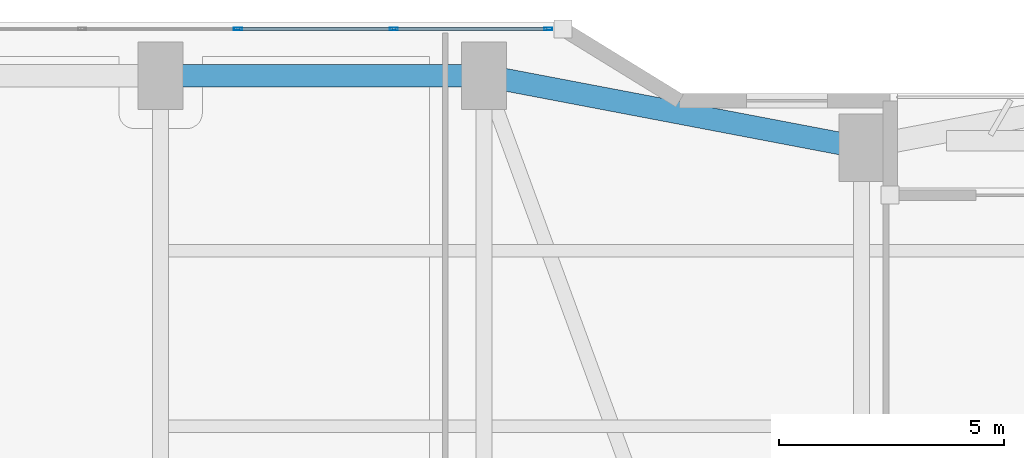
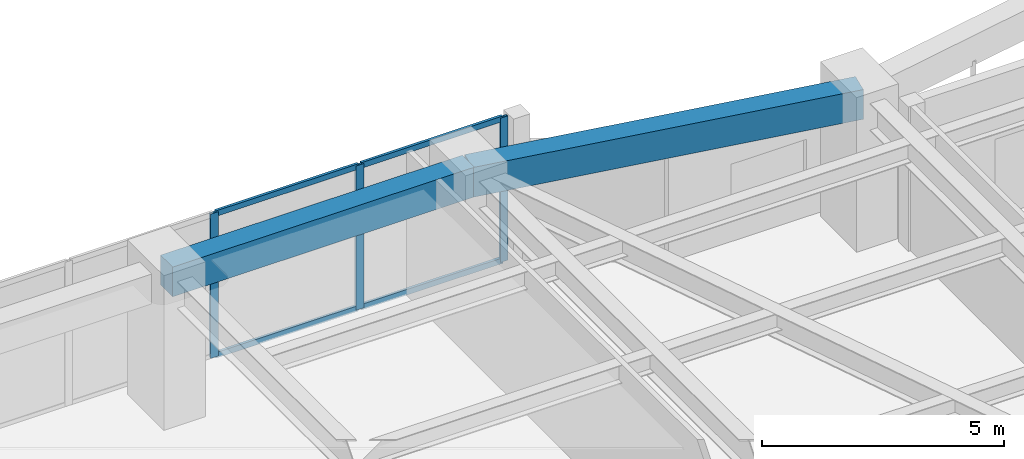
# One storey, part 17 of 28: 7 members, 2 beams, 1 element without a shape of its own.
"""IFC4 building model written with IfcOpenShell, lengths in metres."""

import ifcopenshell
import ifcopenshell.guid

model = None  # the IFC model being written
_history = None  # IfcOwnerHistory: only IFC2X3 demands one
_inside = {}  # id of a spatial element -> (the spatial element, [elements in it])
_under = {}  # id of a project, library or spatial element -> (it, [spatial elements below it])
_declared = {}  # id of a project -> (the project, [libraries it declares])
_typed = {}  # id of a type object -> (the type object, [elements of that type])
_made_of = {}  # id of a material, layer set ... -> (it, [elements and type objects made of it])


def new_model(schema):
    """Start an empty IFC model of exactly this schema.

    Asked for "IFC4X3", IfcOpenShell would pick the latest addendum, in which some entities
    have other attributes; the version numbers below select the first issue.
    IFC2X3 requires an IfcOwnerHistory on every rooted entity: one is made here for all.
    """
    global model, _history
    if schema == "IFC4X3":
        model = ifcopenshell.file(schema_version=(4, 3, 0, 0))
    else:
        model = ifcopenshell.file(schema=schema)
    _inside.clear()
    _under.clear()
    _declared.clear()
    _typed.clear()
    _made_of.clear()
    _history = None
    if model.schema == "IFC2X3":
        org = make("IfcOrganization", Name="unknown")
        user = make(
            "IfcPersonAndOrganization",
            ThePerson=make("IfcPerson", FamilyName="unknown"),
            TheOrganization=org,
        )
        app = make(
            "IfcApplication",
            ApplicationDeveloper=org,
            Version="unknown",
            ApplicationFullName="unknown",
            ApplicationIdentifier="unknown",
        )
        _history = make(
            "IfcOwnerHistory",
            OwningUser=user,
            OwningApplication=app,
            ChangeAction="ADDED",
            CreationDate=0,
        )
    return model


def make(cls, **values):
    """One entity of the class cls with the attributes given. An attribute that is None is left unset."""
    return model.create_entity(
        cls, **{name: value for name, value in values.items() if value is not None}
    )


def rooted(cls, **values):
    """An entity with a GlobalId (a new one), such as an element, a storey or a relation."""
    return make(cls, GlobalId=ifcopenshell.guid.new(), OwnerHistory=_history, **values)


def si_unit(unit_type, name, prefix=None):
    """IfcSIUnit, for example si_unit("LENGTHUNIT", "METRE", prefix="MILLI")."""
    return make("IfcSIUnit", UnitType=unit_type, Prefix=prefix, Name=name)


def assignment(units):
    """IfcUnitAssignment: the units of a project."""
    return None if units is None else make("IfcUnitAssignment", Units=units)


def point(xyz):
    """IfcCartesianPoint."""
    return None if xyz is None else make("IfcCartesianPoint", Coordinates=xyz)


def direction(xyz):
    """IfcDirection."""
    return None if xyz is None else make("IfcDirection", DirectionRatios=xyz)


def frame(location, z_axis=None, x_axis=None):
    """IfcAxis2Placement3D, a coordinate frame: its origin and axes. An axis left out is left unset."""
    return make(
        "IfcAxis2Placement3D",
        Location=point(location),
        Axis=direction(z_axis),
        RefDirection=direction(x_axis),
    )


def frame_2d(location, x_axis=None):
    """IfcAxis2Placement2D, a coordinate frame in the plane: its origin and x axis."""
    return make(
        "IfcAxis2Placement2D", Location=point(location), RefDirection=direction(x_axis)
    )


def origin():
    """The frame at (0, 0, 0) with its axes left unset."""
    return frame((0.0, 0.0, 0.0))


def origin_2d():
    """The frame at (0, 0) in the plane with its x axis left unset."""
    return frame_2d((0.0, 0.0))


def place(relative_to, where):
    """IfcLocalPlacement: puts the frame where relative to a parent placement (None: the world)."""
    return make(
        "IfcLocalPlacement", PlacementRelTo=relative_to, RelativePlacement=where
    )


def context(
    kind, dimensions, precision=None, world=None, true_north=None, identifier=None
):
    """IfcGeometricRepresentationContext, for example the 3D "Model" context."""
    return make(
        "IfcGeometricRepresentationContext",
        ContextIdentifier=identifier,
        ContextType=kind,
        CoordinateSpaceDimension=dimensions,
        Precision=precision,
        WorldCoordinateSystem=world,
        TrueNorth=true_north,
    )


def subcontext(parent, identifier, kind, view, scale=None):
    """IfcGeometricRepresentationSubContext, for example "Body" below "Model"."""
    return make(
        "IfcGeometricRepresentationSubContext",
        ContextIdentifier=identifier,
        ContextType=kind,
        ParentContext=parent,
        TargetScale=scale,
        TargetView=view,
    )


def project(units=None, contexts=None):
    """IfcProject with its units and contexts."""
    return rooted(
        "IfcProject",
        Name="project",
        RepresentationContexts=contexts,
        UnitsInContext=assignment(units),
    )


def spatial(cls, under=None, at=None, **own):
    """A site, building, storey or space (cls), placed at a placement, below another one or the project."""
    s = rooted(cls, ObjectPlacement=at, **own)
    if under is not None:
        _under.setdefault(under.id(), (under, []))[1].append(s)
    return s


def profile(cls, at=None, kind="AREA", **sizes):
    """A parametric profile (cls). Its sizes go by their IFC names, for example OverallWidth=200.0."""
    return make(cls, ProfileType=kind, Position=at, **sizes)


def rectangle(**sizes):
    """IfcRectangleProfileDef."""
    return profile("IfcRectangleProfileDef", **sizes)


def hollow_rectangle(**sizes):
    """IfcRectangleHollowProfileDef."""
    return profile("IfcRectangleHollowProfileDef", **sizes)


def extrude(swept, where, along, depth):
    """IfcExtrudedAreaSolid: the profile swept, set in the frame where, extruded along a direction by depth."""
    return make(
        "IfcExtrudedAreaSolid",
        SweptArea=swept,
        Position=where,
        ExtrudedDirection=direction(along),
        Depth=depth,
    )


def shape(context_of_items, identifier, shape_type, items):
    """IfcShapeRepresentation: the items that make up one representation, for example the "Body"."""
    return make(
        "IfcShapeRepresentation",
        ContextOfItems=context_of_items,
        RepresentationIdentifier=identifier,
        RepresentationType=shape_type,
        Items=items,
    )


def material(Name=None, Category=None):
    """IfcMaterial."""
    return make("IfcMaterial", Name=Name, Category=Category)


def layer(
    of_material, thickness, ventilated=None, Name=None, Category=None, Priority=None
):
    """IfcMaterialLayer: one layer of a wall or slab, of a material (None: an air gap)."""
    return make(
        "IfcMaterialLayer",
        Material=of_material,
        LayerThickness=thickness,
        IsVentilated=ventilated,
        Name=Name,
        Category=Category,
        Priority=Priority,
    )


def layer_set(layers, Name=None):
    """IfcMaterialLayerSet."""
    return make("IfcMaterialLayerSet", MaterialLayers=layers, LayerSetName=Name)


def material_profile(
    of_material, cross_section, Name=None, Category=None, Priority=None
):
    """IfcMaterialProfile: a cross section and its material."""
    return make(
        "IfcMaterialProfile",
        Name=Name,
        Material=of_material,
        Profile=cross_section,
        Priority=Priority,
        Category=Category,
    )


def profile_set(profiles, Name=None, composite=None):
    """IfcMaterialProfileSet."""
    return make(
        "IfcMaterialProfileSet",
        Name=Name,
        MaterialProfiles=profiles,
        CompositeProfile=composite,
    )


def made_of(thing, what):
    """Note that an element or type object is made of a material, layer set ...; save() writes the relation."""
    if what is not None:
        _made_of.setdefault(what.id(), (what, []))[1].append(thing)
    return thing


def type_object(cls, material=None, **own):
    """A type object (cls), such as IfcWallType, which elements share."""
    return made_of(rooted(cls, **own), material)


def element(
    cls,
    number,
    at=None,
    inside=None,
    cuts=None,
    type_object=None,
    material=None,
    context=None,
    identifier="Body",
    shape_type=None,
    held_by="IfcProductDefinitionShape",
    body=None,
    shapes=None,
    **own,
):
    """One element of the class cls, such as IfcWall. Its Tag is "e" and its number.

    at: its placement. inside: the storey or other place that contains it. cuts: it is an
    opening in that element (IfcRelVoidsElement). A single representation is given by context,
    identifier, shape_type and body (its items); several are given by shapes. held_by: the class
    of the entity that holds the representations. save() writes the other relations.
    """
    e = rooted(cls, Tag="e%d" % number, ObjectPlacement=at, **own)
    if body is not None:
        shapes = [shape(context, identifier, shape_type, body)]
    if shapes is not None:
        e.Representation = make(held_by, Representations=shapes)
    if inside is not None:
        _inside.setdefault(inside.id(), (inside, []))[1].append(e)
    if cuts is not None:
        rooted(
            "IfcRelVoidsElement", RelatingBuildingElement=cuts, RelatedOpeningElement=e
        )
    if type_object is not None:
        _typed.setdefault(type_object.id(), (type_object, []))[1].append(e)
    return made_of(e, material)


def aggregate(whole, parts):
    """IfcRelAggregates: a whole, such as a stair, and the parts it consists of."""
    return rooted("IfcRelAggregates", RelatingObject=whole, RelatedObjects=parts)


def save(model, path):
    """Write the relations noted so far, then the file.

    IfcRelAggregates (storeys below a building ...), IfcRelContainedInSpatialStructure (elements
    in a storey), IfcRelDefinesByType, IfcRelAssociatesMaterial and IfcRelDeclares: one each for
    every whole, place, type object, material and project.
    """
    for whole, parts in _under.values():
        aggregate(whole, parts)
    for where, things in _inside.values():
        rooted(
            "IfcRelContainedInSpatialStructure",
            RelatedElements=things,
            RelatingStructure=where,
        )
    for kind, things in _typed.values():
        rooted("IfcRelDefinesByType", RelatedObjects=things, RelatingType=kind)
    for what, things in _made_of.values():
        rooted("IfcRelAssociatesMaterial", RelatedObjects=things, RelatingMaterial=what)
    for by, libraries in _declared.values():
        rooted("IfcRelDeclares", RelatingContext=by, RelatedDefinitions=libraries)
    model.write(path)


model = new_model("IFC4")

# Units and contexts
model_context = context("Model", 3, precision=1e-05, world=origin(), true_north=direction((0.0, 1.0)))
body_context = subcontext(model_context, "Body", "Model", "MODEL_VIEW")
ifc_project = project(units=[si_unit("LENGTHUNIT", "METRE"), si_unit("AREAUNIT", "SQUARE_METRE"), si_unit("VOLUMEUNIT", "CUBIC_METRE"), si_unit("PLANEANGLEUNIT", "RADIAN"), si_unit("MASSUNIT", "GRAM", prefix="KILO")], contexts=[model_context])

# Site, building, storey
site_placement = place(None, origin())
site = spatial("IfcSite", under=ifc_project, at=site_placement, CompositionType="ELEMENT")
building_placement = place(site_placement, origin())
building = spatial("IfcBuilding", under=site, at=building_placement, Name="Kiyonajd Concourse Tower", CompositionType="ELEMENT")
storey_placement = place(building_placement, frame((0.0, 0.0, 64.5)))
storey = spatial("IfcBuildingStorey", under=building, at=storey_placement, Name="L17", CompositionType="ELEMENT", Elevation=64.5)

# Beams
ifc_material_1 = material(Name="Precast concrete C50/60", Category="concrete")
ifc_material_profile_1 = material_profile(ifc_material_1, rectangle(XDim=0.5, YDim=0.75, at=origin_2d()), Name="RCBM-500x750")
ifc_profile_set_1 = profile_set([ifc_material_profile_1], Name="Precast concrete C50/60")
beam_type = type_object("IfcBeamType", Name="BM-SPAN-RC", PredefinedType="SPANDREL", material=ifc_profile_set_1)
beam_1_placement = place(storey_placement, frame((48.0, 59.60009765625, 3.264892578125), z_axis=(-0.982341315253, 0.187097675953, 0.0), x_axis=(-0.187097675953, -0.982341315253, 0.0)))
element("IfcBeam", 1, at=beam_1_placement, inside=storey, type_object=beam_type, Name="L17 Perimeter Bundled Tube Spandrel", PredefinedType="SPANDREL", context=body_context, shape_type="SweptSolid", body=[
    extrude(rectangle(XDim=0.5, YDim=0.75, at=origin_2d()), origin(), (0.0, 0.0, 1.0), 8.55078125),
])
beam_2_placement = place(storey_placement, frame((39.60009765625, 61.199951171875, 3.264892578125), z_axis=(-1.0, 0.0, 0.0), x_axis=(0.0, -1.0, 0.0)))
element("IfcBeam", 2, at=beam_2_placement, inside=storey, type_object=beam_type, Name="L17 Perimeter Bundled Tube Spandrel", PredefinedType="SPANDREL", context=body_context, shape_type="SweptSolid", body=[
    extrude(rectangle(XDim=0.5, YDim=0.75, at=origin_2d()), origin(), (0.0, 0.0, 1.0), 7.2001953125),
])

# Curtain wall, members
ifc_material_2 = material(Name="Thermally Broken Anodised Aluminium", Category="aluminium")
ifc_layer = layer(ifc_material_2, 0.179931640625)
ifc_layer_set = layer_set([ifc_layer], Name="Thermally Broken Anodised Aluminium")
curtain_wall_type = type_object("IfcCurtainWallType", Name="CW-SYS-02", PredefinedType="NOTDEFINED", material=ifc_layer_set)
curtain_wall_placement = place(storey_placement, origin())
curtain_wall = element("IfcCurtainWall", 3, at=curtain_wall_placement, inside=storey, type_object=curtain_wall_type, Name="L17 Unitised Curtain Wall CW2", PredefinedType="NOTDEFINED")
ifc_material_profile_2 = material_profile(ifc_material_2, hollow_rectangle(XDim=0.06494140625, YDim=0.179931640625, WallThickness=0.00390625, at=origin_2d()), Name="MULL-65x180")
ifc_profile_set_2 = profile_set([ifc_material_profile_2], Name="Thermally Broken Anodised Aluminium")
member_type_1 = type_object("IfcMemberType", Name="MB-CW-MULL1", PredefinedType="MULLION", material=ifc_profile_set_2)
member_1_placement = place(storey_placement, frame((34.123291015625, 62.239990234375, 0.0), z_axis=(0.0, 0.0, 1.0), x_axis=(0.0, 1.0, 0.0)))
member_1 = element("IfcMember", 4, at=member_1_placement, type_object=member_type_1, Name="CW2 mullion 4", PredefinedType="MULLION", context=body_context, shape_type="SweptSolid", body=[
    extrude(hollow_rectangle(XDim=0.06494140625, YDim=0.179931640625, WallThickness=0.00390625, at=origin_2d()), origin(), (0.0, 0.0, 1.0), 3.639892578125),
])
member_2_placement = place(storey_placement, frame((37.593994140625, 62.239990234375, 0.0), z_axis=(0.0, 0.0, 1.0), x_axis=(0.0, 1.0, 0.0)))
member_2 = element("IfcMember", 5, at=member_2_placement, type_object=member_type_1, Name="CW2 mullion 5", PredefinedType="MULLION", context=body_context, shape_type="SweptSolid", body=[
    extrude(hollow_rectangle(XDim=0.06494140625, YDim=0.179931640625, WallThickness=0.00390625, at=origin_2d()), origin(), (0.0, 0.0, 1.0), 3.639892578125),
])
member_3_placement = place(storey_placement, frame((41.0322265625, 62.239990234375, 0.0), z_axis=(0.0, 0.0, 1.0), x_axis=(0.0, 1.0, 0.0)))
member_3 = element("IfcMember", 6, at=member_3_placement, type_object=member_type_1, Name="CW2 mullion 6", PredefinedType="MULLION", context=body_context, shape_type="SweptSolid", body=[
    extrude(hollow_rectangle(XDim=0.06494140625, YDim=0.179931640625, WallThickness=0.00390625, at=origin_2d()), origin(), (0.0, 0.0, 1.0), 3.639892578125),
])
ifc_material_profile_3 = material_profile(ifc_material_2, hollow_rectangle(XDim=0.06494140625, YDim=0.139892578125, WallThickness=0.00390625, at=origin_2d()), Name="TRAN-65x140")
ifc_profile_set_3 = profile_set([ifc_material_profile_3], Name="Thermally Broken Anodised Aluminium")
member_type_2 = type_object("IfcMemberType", Name="MB-CW-TRAN1", PredefinedType="USERDEFINED", material=ifc_profile_set_3)
member_4_placement = place(storey_placement, frame((34.15576171875, 62.239990234375, 0.032470703125), z_axis=(1.0, 0.0, 0.0), x_axis=(0.0, 1.0, 0.0)))
member_4 = element("IfcMember", 7, at=member_4_placement, type_object=member_type_2, Name="CW2 transom 4.1", ObjectType="TRANSOM", PredefinedType="USERDEFINED", context=body_context, shape_type="SweptSolid", body=[
    extrude(hollow_rectangle(XDim=0.06494140625, YDim=0.139892578125, WallThickness=0.00390625, at=origin_2d()), origin(), (0.0, 0.0, 1.0), 3.40576171875),
])
member_5_placement = place(storey_placement, frame((34.15576171875, 62.239990234375, 3.607421875), z_axis=(1.0, 0.0, 0.0), x_axis=(0.0, 1.0, 0.0)))
member_5 = element("IfcMember", 8, at=member_5_placement, type_object=member_type_2, Name="CW2 transom 4.2", ObjectType="TRANSOM", PredefinedType="USERDEFINED", context=body_context, shape_type="SweptSolid", body=[
    extrude(hollow_rectangle(XDim=0.06494140625, YDim=0.139892578125, WallThickness=0.00390625, at=origin_2d()), origin(), (0.0, 0.0, 1.0), 3.40576171875),
])
member_6_placement = place(storey_placement, frame((37.62646484375, 62.239990234375, 0.032470703125), z_axis=(1.0, 0.0, 0.0), x_axis=(0.0, 1.0, 0.0)))
member_6 = element("IfcMember", 9, at=member_6_placement, type_object=member_type_2, Name="CW2 transom 5.1", ObjectType="TRANSOM", PredefinedType="USERDEFINED", context=body_context, shape_type="SweptSolid", body=[
    extrude(hollow_rectangle(XDim=0.06494140625, YDim=0.139892578125, WallThickness=0.00390625, at=origin_2d()), origin(), (0.0, 0.0, 1.0), 3.373291015625),
])
member_7_placement = place(storey_placement, frame((37.62646484375, 62.239990234375, 3.607421875), z_axis=(1.0, 0.0, 0.0), x_axis=(0.0, 1.0, 0.0)))
member_7 = element("IfcMember", 10, at=member_7_placement, type_object=member_type_2, Name="CW2 transom 5.2", ObjectType="TRANSOM", PredefinedType="USERDEFINED", context=body_context, shape_type="SweptSolid", body=[
    extrude(hollow_rectangle(XDim=0.06494140625, YDim=0.139892578125, WallThickness=0.00390625, at=origin_2d()), origin(), (0.0, 0.0, 1.0), 3.373291015625),
])
aggregate(curtain_wall, [member_1, member_2, member_3, member_4, member_5, member_6, member_7])

save(model, "model.ifc")
